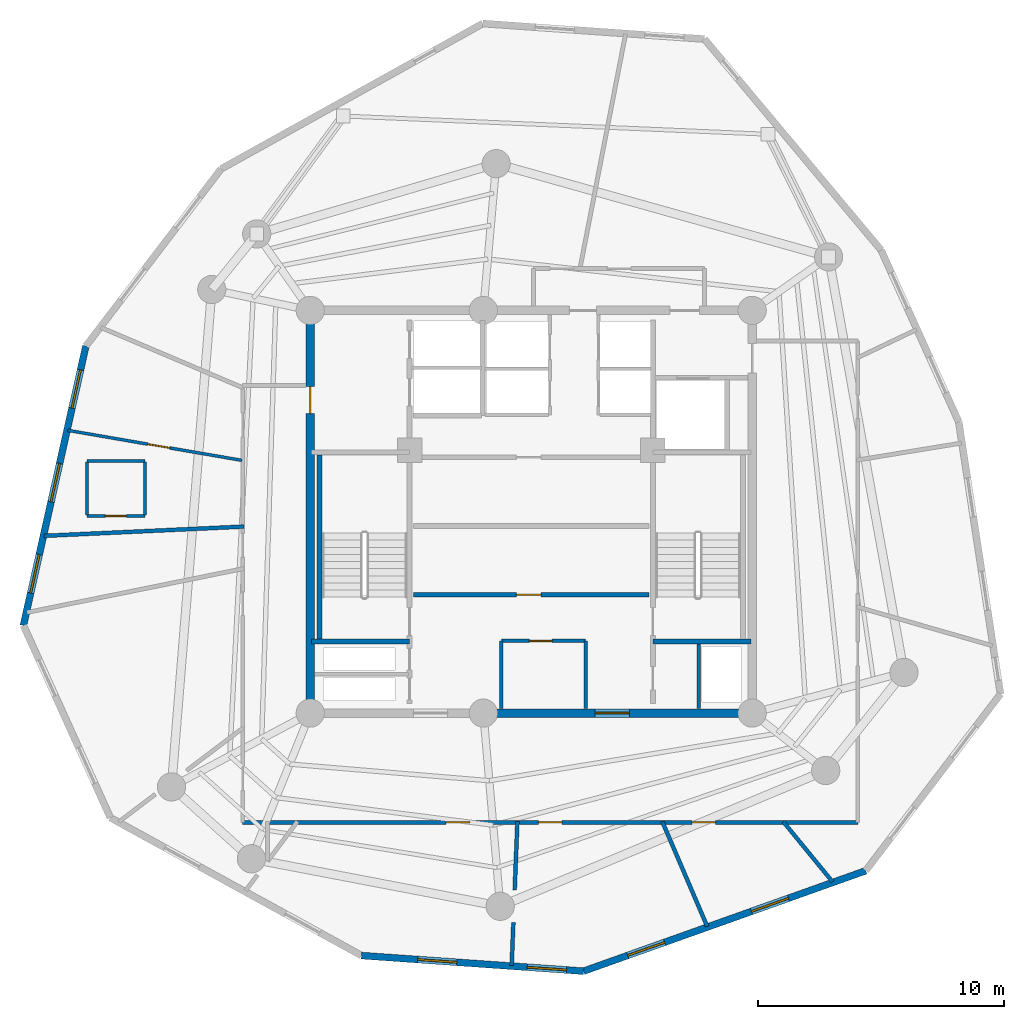
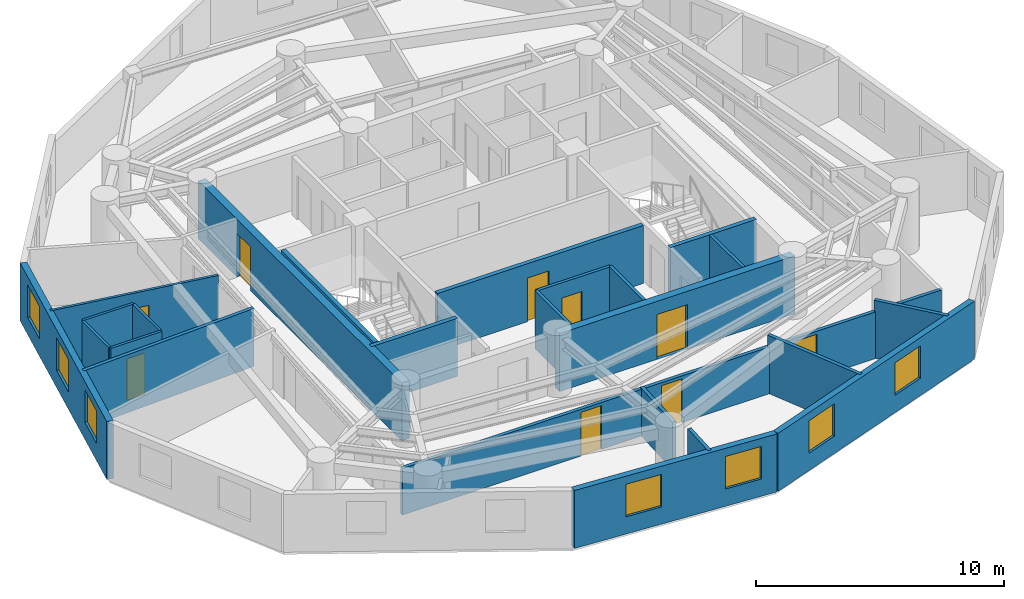
# One storey, part 3 of 7: 24 walls, 9 doors, 7 windows, 16 openings.
"""IFC4 building model written with IfcOpenShell, lengths in metres."""

from ifc_helpers import new_model, si_unit, direction, frame, frame_2d, origin, origin_with_axes, place, context, subcontext, project, spatial, rectangle, extrude, source, transform, mapped, material, layer, layer_set, type_object, element, fill, save


model = new_model("IFC4")

# Units and contexts
model_context = context("Model", 3, precision=1e-05, world=origin(), true_north=direction((0.0, 1.0)))
body_context = subcontext(model_context, "Body", "Model", "MODEL_VIEW")
ifc_project = project(units=[si_unit("LENGTHUNIT", "METRE"), si_unit("AREAUNIT", "SQUARE_METRE"), si_unit("VOLUMEUNIT", "CUBIC_METRE"), si_unit("PLANEANGLEUNIT", "RADIAN"), si_unit("MASSUNIT", "GRAM", prefix="KILO")], contexts=[model_context])

# Site, building, storey
site_placement = place(None, origin())
site = spatial("IfcSite", under=ifc_project, at=site_placement, CompositionType="ELEMENT")
building_placement = place(site_placement, origin())
building = spatial("IfcBuilding", under=site, at=building_placement, Name="Karkom Vertical University and Central Library", CompositionType="ELEMENT")
storey_placement = place(building_placement, frame((0.0, 0.0, 247.39990234375)))
storey = spatial("IfcBuildingStorey", under=building, at=storey_placement, Name="L73", CompositionType="ELEMENT", Elevation=247.39990234375)

# Wall, openings, windows
ifc_material_1 = material(Name="Brick-faced precast concrete C45/55", Category="masonry")
ifc_layer_1 = layer(ifc_material_1, 0.280029296875)
ifc_layer_set_1 = layer_set([ifc_layer_1], Name="Brick-faced precast concrete C45/55")
wall_type_1 = type_object("IfcWallType", Name="ENV-WL-BRK-280", PredefinedType="SOLIDWALL", material=ifc_layer_set_1)
wall_1_placement = place(storey_placement, frame((21.583251953125, 8.422607421875, 0.0), z_axis=(0.0, 0.0, 1.0), x_axis=(0.997548573597, -0.06997744862, 0.0)))
wall_1 = element("IfcWall", 1, at=wall_1_placement, inside=storey, type_object=wall_type_1, Name="Level 73 Brick-Faced Precast Facade Wall 03", PredefinedType="SOLIDWALL", context=body_context, shape_type="SweptSolid", body=[
    extrude(rectangle(XDim=9.074462890625, YDim=0.280029296875, at=frame_2d((4.537109375, 0.0))), origin(), (0.0, 0.0, 1.0), 2.85009765625),
])
opening_1_placement = place(wall_1_placement, frame((2.296630859375, 0.0, 0.85009765625)))
opening_1 = element("IfcOpeningElement", 2, at=opening_1_placement, cuts=wall_1, Name="Opening WN-10", PredefinedType="OPENING", context=body_context, shape_type="SweptSolid", body=[
    extrude(rectangle(XDim=1.60009765625, YDim=1.60009765625, at=frame_2d((0.800048828125, 0.800048828125))), frame((0.0, 0.14990234375, 0.0), z_axis=(0.0, -1.0, 0.0), x_axis=(1.0, 0.0, 0.0)), (0.0, 0.0, 1.0), 0.300048828125),
])
opening_2_placement = place(wall_1_placement, frame((6.77392578125, 0.0, 0.85009765625)))
opening_2 = element("IfcOpeningElement", 3, at=opening_2_placement, cuts=wall_1, Name="Opening WN-10", PredefinedType="OPENING", context=body_context, shape_type="SweptSolid", body=[
    extrude(rectangle(XDim=1.60009765625, YDim=1.60009765625, at=frame_2d((0.800048828125, 0.800048828125))), frame((0.0, 0.14990234375, 0.0), z_axis=(0.0, -1.0, 0.0), x_axis=(1.0, 0.0, 0.0)), (0.0, 0.0, 1.0), 0.300048828125),
])
ifc_material_2 = material(Name="Aluminium thermal-break frame with solar-control IGU", Category="aluminium")
window_type = type_object("IfcWindowType", Name="ENV-WIN-WN-10", PartitioningType="SINGLE_PANEL", PredefinedType="WINDOW", material=ifc_material_2)
shared_shape_1 = source(origin_with_axes(), body_context, "Body", "SweptSolid", [
    extrude(rectangle(XDim=1.60009765625, YDim=1.60009765625, at=frame_2d((0.800048828125, 0.800048828125))), frame((0.0, 0.030029296875, 0.0), z_axis=(0.0, -1.0, 0.0), x_axis=(1.0, 0.0, 0.0)), (0.0, 0.0, 1.0), 0.06005859375),
])
window_1_placement = place(opening_1_placement, origin())
window_1 = element("IfcWindow", 4, at=window_1_placement, inside=storey, type_object=window_type, Name="Level 73 Punched Window 3.1", OverallHeight=1.60009765625, OverallWidth=1.60009765625, PartitioningType="SINGLE_PANEL", PredefinedType="WINDOW", context=body_context, shape_type="MappedRepresentation", body=[
    mapped(shared_shape_1, transform((0.0, 0.0, 0.0), scale=1.0)),
])
fill(opening_1, window_1)
window_2_placement = place(opening_2_placement, origin())
window_2 = element("IfcWindow", 5, at=window_2_placement, inside=storey, type_object=window_type, Name="Level 73 Punched Window 3.2", OverallHeight=1.60009765625, OverallWidth=1.60009765625, PartitioningType="SINGLE_PANEL", PredefinedType="WINDOW", context=body_context, shape_type="MappedRepresentation", body=[
    mapped(shared_shape_1, transform((0.0, 0.0, 0.0), scale=1.0)),
])
fill(opening_2, window_2)

wall_2_placement = place(storey_placement, frame((30.635498046875, 7.78759765625, 0.0), z_axis=(0.0, 0.0, 1.0), x_axis=(0.94211002772, 0.335303885556, 0.0)))
wall_2 = element("IfcWall", 6, at=wall_2_placement, inside=storey, type_object=wall_type_1, Name="Level 73 Brick-Faced Precast Facade Wall 04", PredefinedType="SOLIDWALL", context=body_context, shape_type="SweptSolid", body=[
    extrude(rectangle(XDim=12.1953125, YDim=0.280029296875, at=frame_2d((6.09765625, 0.0))), origin(), (0.0, 0.0, 1.0), 2.85009765625),
])
opening_3_placement = place(wall_2_placement, frame((1.905517578125, 0.0, 0.85009765625)))
opening_3 = element("IfcOpeningElement", 7, at=opening_3_placement, cuts=wall_2, Name="Opening WN-10", PredefinedType="OPENING", context=body_context, shape_type="SweptSolid", body=[
    extrude(rectangle(XDim=1.60009765625, YDim=1.60009765625, at=frame_2d((0.800048828125, 0.800048828125))), frame((0.0, 0.14990234375, 0.0), z_axis=(0.0, -1.0, 0.0), x_axis=(1.0, 0.0, 0.0)), (0.0, 0.0, 1.0), 0.300048828125),
])
opening_4_placement = place(wall_2_placement, frame((7.25537109375, 0.0, 0.85009765625)))
opening_4 = element("IfcOpeningElement", 8, at=opening_4_placement, cuts=wall_2, Name="Opening WN-10", PredefinedType="OPENING", context=body_context, shape_type="SweptSolid", body=[
    extrude(rectangle(XDim=1.60009765625, YDim=1.60009765625, at=frame_2d((0.800048828125, 0.800048828125))), frame((0.0, 0.14990234375, 0.0), z_axis=(0.0, -1.0, 0.0), x_axis=(1.0, 0.0, 0.0)), (0.0, 0.0, 1.0), 0.300048828125),
])
window_3_placement = place(opening_3_placement, origin())
window_3 = element("IfcWindow", 9, at=window_3_placement, inside=storey, type_object=window_type, Name="Level 73 Punched Window 4.1", OverallHeight=1.60009765625, OverallWidth=1.60009765625, PartitioningType="SINGLE_PANEL", PredefinedType="WINDOW", context=body_context, shape_type="MappedRepresentation", body=[
    mapped(shared_shape_1, transform((0.0, 0.0, 0.0), scale=1.0)),
])
fill(opening_3, window_3)
window_4_placement = place(opening_4_placement, origin())
window_4 = element("IfcWindow", 10, at=window_4_placement, inside=storey, type_object=window_type, Name="Level 73 Punched Window 4.2", OverallHeight=1.60009765625, OverallWidth=1.60009765625, PartitioningType="SINGLE_PANEL", PredefinedType="WINDOW", context=body_context, shape_type="MappedRepresentation", body=[
    mapped(shared_shape_1, transform((0.0, 0.0, 0.0), scale=1.0)),
])
fill(opening_4, window_4)

wall_3_placement = place(storey_placement, frame((10.361083984375, 33.25390625, 0.0), z_axis=(0.0, 0.0, 1.0), x_axis=(-0.218210910553, -0.975901633627, 0.0)))
wall_3 = element("IfcWall", 11, at=wall_3_placement, inside=storey, type_object=wall_type_1, Name="Level 73 Brick-Faced Precast Facade Wall 12", PredefinedType="SOLIDWALL", context=body_context, shape_type="SweptSolid", body=[
    extrude(rectangle(XDim=11.667236328125, YDim=0.280029296875, at=frame_2d((5.83349609375, 0.0))), origin(), (0.0, 0.0, 1.0), 2.85009765625),
])
opening_5_placement = place(wall_3_placement, frame((0.997314453125, 0.0, 0.85009765625)))
opening_5 = element("IfcOpeningElement", 12, at=opening_5_placement, cuts=wall_3, Name="Opening WN-10", PredefinedType="OPENING", context=body_context, shape_type="SweptSolid", body=[
    extrude(rectangle(XDim=1.60009765625, YDim=1.60009765625, at=frame_2d((0.800048828125, 0.800048828125))), frame((0.0, 0.14990234375, 0.0), z_axis=(0.0, -1.0, 0.0), x_axis=(1.0, 0.0, 0.0)), (0.0, 0.0, 1.0), 0.300048828125),
])
opening_6_placement = place(wall_3_placement, frame((4.9033203125, 0.0, 0.85009765625)))
opening_6 = element("IfcOpeningElement", 13, at=opening_6_placement, cuts=wall_3, Name="Opening WN-10", PredefinedType="OPENING", context=body_context, shape_type="SweptSolid", body=[
    extrude(rectangle(XDim=1.60009765625, YDim=1.60009765625, at=frame_2d((0.800048828125, 0.800048828125))), frame((0.0, 0.14990234375, 0.0), z_axis=(0.0, -1.0, 0.0), x_axis=(1.0, 0.0, 0.0)), (0.0, 0.0, 1.0), 0.300048828125),
])
opening_7_placement = place(wall_3_placement, frame((8.707763671875, 0.0, 0.85009765625)))
opening_7 = element("IfcOpeningElement", 14, at=opening_7_placement, cuts=wall_3, Name="Opening WN-10", PredefinedType="OPENING", context=body_context, shape_type="SweptSolid", body=[
    extrude(rectangle(XDim=1.60009765625, YDim=1.60009765625, at=frame_2d((0.800048828125, 0.800048828125))), frame((0.0, 0.14990234375, 0.0), z_axis=(0.0, -1.0, 0.0), x_axis=(1.0, 0.0, 0.0)), (0.0, 0.0, 1.0), 0.300048828125),
])
window_5_placement = place(opening_5_placement, origin())
window_5 = element("IfcWindow", 15, at=window_5_placement, inside=storey, type_object=window_type, Name="Level 73 Punched Window 12.1", OverallHeight=1.60009765625, OverallWidth=1.60009765625, PartitioningType="SINGLE_PANEL", PredefinedType="WINDOW", context=body_context, shape_type="MappedRepresentation", body=[
    mapped(shared_shape_1, transform((0.0, 0.0, 0.0), scale=1.0)),
])
fill(opening_5, window_5)
window_6_placement = place(opening_6_placement, origin())
window_6 = element("IfcWindow", 16, at=window_6_placement, inside=storey, type_object=window_type, Name="Level 73 Punched Window 12.2", OverallHeight=1.60009765625, OverallWidth=1.60009765625, PartitioningType="SINGLE_PANEL", PredefinedType="WINDOW", context=body_context, shape_type="MappedRepresentation", body=[
    mapped(shared_shape_1, transform((0.0, 0.0, 0.0), scale=1.0)),
])
fill(opening_6, window_6)
window_7_placement = place(opening_7_placement, origin())
window_7 = element("IfcWindow", 17, at=window_7_placement, inside=storey, type_object=window_type, Name="Level 73 Punched Window 12.3", OverallHeight=1.60009765625, OverallWidth=1.60009765625, PartitioningType="SINGLE_PANEL", PredefinedType="WINDOW", context=body_context, shape_type="MappedRepresentation", body=[
    mapped(shared_shape_1, transform((0.0, 0.0, 0.0), scale=1.0)),
])
fill(opening_7, window_7)

# Wall, openings, doors
ifc_material_3 = material(Name="Insulated metal-stud drywall 160mm", Category="gypsum")
ifc_layer_2 = layer(ifc_material_3, 0.159912109375)
ifc_layer_set_2 = layer_set([ifc_layer_2], Name="Insulated metal-stud drywall 160mm")
wall_type_2 = type_object("IfcWallType", Name="INT-WL-COR-160", PredefinedType="PARTITIONING", material=ifc_layer_set_2)
wall_4_placement = place(storey_placement, frame((41.800048828125, 13.85009765625, 0.0), z_axis=(0.0, 0.0, 1.0), x_axis=(-1.0, 0.0, 0.0)))
wall_4 = element("IfcWall", 18, at=wall_4_placement, inside=storey, type_object=wall_type_2, Name="Level 73 Interior Partition Wall L73-CORW-CW-001", PredefinedType="PARTITIONING", context=body_context, shape_type="SweptSolid", body=[
    extrude(rectangle(XDim=25.050048828125, YDim=0.159912109375, at=frame_2d((12.52490234375, 0.0))), origin(), (0.0, 0.0, 1.0), 2.300048828125),
])
opening_8_placement = place(wall_4_placement, frame((15.8076171875, 0.0, 0.0)))
opening_8 = element("IfcOpeningElement", 19, at=opening_8_placement, cuts=wall_4, Name="Opening FD-RM2", PredefinedType="OPENING", context=body_context, shape_type="SweptSolid", body=[
    extrude(rectangle(XDim=0.9599609375, YDim=2.14990234375, at=frame_2d((0.47998046875, 1.074951171875))), frame((0.0, 0.08984375, 0.0), z_axis=(0.0, -1.0, 0.0), x_axis=(1.0, 0.0, 0.0)), (0.0, 0.0, 1.0), 0.179931640625),
])
opening_9_placement = place(wall_4_placement, frame((12.050048828125, 0.0, 0.0)))
opening_9 = element("IfcOpeningElement", 20, at=opening_9_placement, cuts=wall_4, Name="Opening FD-RM2", PredefinedType="OPENING", context=body_context, shape_type="SweptSolid", body=[
    extrude(rectangle(XDim=0.9599609375, YDim=2.14990234375, at=frame_2d((0.47998046875, 1.074951171875))), frame((0.0, 0.08984375, 0.0), z_axis=(0.0, -1.0, 0.0), x_axis=(1.0, 0.0, 0.0)), (0.0, 0.0, 1.0), 0.179931640625),
])
opening_10_placement = place(wall_4_placement, frame((5.78759765625, 0.0, 0.0)))
opening_10 = element("IfcOpeningElement", 21, at=opening_10_placement, cuts=wall_4, Name="Opening FD-RM2", PredefinedType="OPENING", context=body_context, shape_type="SweptSolid", body=[
    extrude(rectangle(XDim=0.9599609375, YDim=2.14990234375, at=frame_2d((0.47998046875, 1.074951171875))), frame((0.0, 0.08984375, 0.0), z_axis=(0.0, -1.0, 0.0), x_axis=(1.0, 0.0, 0.0)), (0.0, 0.0, 1.0), 0.179931640625),
])
ifc_material_4 = material(Name="Fire-rated oak veneer door", Category="wood")
door_type_1 = type_object("IfcDoorType", Name="INT-DR-FRM2", OperationType="NOTDEFINED", PredefinedType="DOOR", material=ifc_material_4)
shared_shape_2 = source(origin_with_axes(), body_context, "Body", "SweptSolid", [
    extrude(rectangle(XDim=0.9599609375, YDim=2.14990234375, at=frame_2d((0.47998046875, 1.074951171875))), frame((0.0, 0.02490234375, 0.0), z_axis=(0.0, -1.0, 0.0), x_axis=(1.0, 0.0, 0.0)), (0.0, 0.0, 1.0), 0.050048828125),
])
door_1_placement = place(opening_8_placement, origin())
door_1 = element("IfcDoor", 22, at=door_1_placement, inside=storey, type_object=door_type_1, Name="Level 73 Room Entry Door 303", OperationType="SINGLE_SWING_LEFT", OverallHeight=2.14990234375, OverallWidth=0.9599609375, PredefinedType="DOOR", context=body_context, shape_type="MappedRepresentation", body=[
    mapped(shared_shape_2, transform((0.0, 0.0, 0.0), scale=1.0)),
])
fill(opening_8, door_1)
door_2_placement = place(opening_9_placement, origin())
door_2 = element("IfcDoor", 23, at=door_2_placement, inside=storey, type_object=door_type_1, Name="Level 73 Room Entry Door 304", OperationType="SINGLE_SWING_RIGHT", OverallHeight=2.14990234375, OverallWidth=0.9599609375, PredefinedType="DOOR", context=body_context, shape_type="MappedRepresentation", body=[
    mapped(shared_shape_2, transform((0.0, 0.0, 0.0), scale=1.0)),
])
fill(opening_9, door_2)
door_3_placement = place(opening_10_placement, origin())
door_3 = element("IfcDoor", 24, at=door_3_placement, inside=storey, type_object=door_type_1, Name="Level 73 Room Entry Door 305", OperationType="SINGLE_SWING_LEFT", OverallHeight=2.14990234375, OverallWidth=0.9599609375, PredefinedType="DOOR", context=body_context, shape_type="MappedRepresentation", body=[
    mapped(shared_shape_2, transform((0.0, 0.0, 0.0), scale=1.0)),
])
fill(opening_10, door_3)

# Walls
wall_5_placement = place(storey_placement, frame((8.6591796875, 25.517578125, 0.0), z_axis=(0.0, 0.0, 1.0), x_axis=(0.998921476813, 0.0464314889, 0.0)))
element("IfcWall", 25, at=wall_5_placement, inside=storey, type_object=wall_type_2, Name="Level 73 Interior Partition Wall L73-PW-002", PredefinedType="PARTITIONING", context=body_context, shape_type="SweptSolid", body=[
    extrude(rectangle(XDim=8.144775390625, YDim=0.159912109375, at=frame_2d((4.072265625, 0.0))), origin(), (0.0, 0.0, 1.0), 2.85009765625),
])
wall_6_placement = place(storey_placement, frame((33.8408203125, 13.877685546875, 0.0), z_axis=(0.0, 0.0, 1.0), x_axis=(0.393729061861, -0.919226536739, 0.0)))
element("IfcWall", 26, at=wall_6_placement, inside=storey, type_object=wall_type_2, Name="Level 73 Interior Partition Wall L73-PW-010", PredefinedType="PARTITIONING", context=body_context, shape_type="SweptSolid", body=[
    extrude(rectangle(XDim=4.646728515625, YDim=0.159912109375, at=frame_2d((2.3232421875, 0.0))), origin(), (0.0, 0.0, 1.0), 2.85009765625),
])
wall_7_placement = place(storey_placement, frame((38.76904296875, 13.873291015625, 0.0), z_axis=(0.0, 0.0, 1.0), x_axis=(0.633754626341, -0.773534145072, 0.0)))
element("IfcWall", 27, at=wall_7_placement, inside=storey, type_object=wall_type_2, Name="Level 73 Interior Partition Wall L73-PW-011", PredefinedType="PARTITIONING", context=body_context, shape_type="SweptSolid", body=[
    extrude(rectangle(XDim=3.1630859375, YDim=0.159912109375, at=frame_2d((1.58154296875, 0.0))), origin(), (0.0, 0.0, 1.0), 2.85009765625),
])
wall_8_placement = place(storey_placement, frame((27.9375, 13.8798828125, 0.0), z_axis=(0.0, 0.0, 1.0), x_axis=(-0.039699142553, -0.999211678315, 0.0)))
element("IfcWall", 28, at=wall_8_placement, inside=storey, type_object=wall_type_2, Name="Level 73 Interior Partition Wall L73-PW-008", PredefinedType="PARTITIONING", context=body_context, shape_type="SweptSolid", body=[
    extrude(rectangle(XDim=2.7919921875, YDim=0.159912109375, at=frame_2d((1.39599609375, 0.0))), origin(), (0.0, 0.0, 1.0), 2.35009765625),
])
wall_9_placement = place(storey_placement, frame((27.77392578125, 9.77001953125, 0.0), z_axis=(0.0, 0.0, 1.0), x_axis=(-0.039689955726, -0.999212043269, 0.0)))
element("IfcWall", 29, at=wall_9_placement, inside=storey, type_object=wall_type_2, Name="Level 73 Interior Partition Wall L73-PW-009", PredefinedType="PARTITIONING", context=body_context, shape_type="SweptSolid", body=[
    extrude(rectangle(XDim=1.753173828125, YDim=0.159912109375, at=frame_2d((0.87646484375, 0.0))), origin(), (0.0, 0.0, 1.0), 2.85009765625),
])

# Wall, opening, door
ifc_material_5 = material(Name="Moisture-resistant drywall 120mm", Category="gypsum")
ifc_layer_3 = layer(ifc_material_5, 0.1201171875)
ifc_layer_set_3 = layer_set([ifc_layer_3], Name="Moisture-resistant drywall 120mm")
wall_type_3 = type_object("IfcWallType", Name="INT-WL-INT-120", PredefinedType="PARTITIONING", material=ifc_layer_set_3)
wall_10_placement = place(storey_placement, frame((16.71435546875, 28.59326171875, 0.0), z_axis=(0.0, 0.0, 1.0), x_axis=(-0.985456592012, 0.169927352892, 0.0)))
wall_10 = element("IfcWall", 30, at=wall_10_placement, inside=storey, type_object=wall_type_3, Name="Level 73 Interior Partition Wall L73-APT-12-DIV", PredefinedType="PARTITIONING", context=body_context, shape_type="SweptSolid", body=[
    extrude(rectangle(XDim=7.200927734375, YDim=0.1201171875, at=frame_2d((3.6005859375, 0.0))), origin(), (0.0, 0.0, 1.0), 2.85009765625),
])
opening_11_placement = place(wall_10_placement, frame((2.9853515625, 0.0, 0.0)))
opening_11 = element("IfcOpeningElement", 31, at=opening_11_placement, cuts=wall_10, Name="Opening D-INT1", PredefinedType="OPENING", context=body_context, shape_type="SweptSolid", body=[
    extrude(rectangle(XDim=0.89990234375, YDim=2.10009765625, at=frame_2d((0.449951171875, 1.050048828125))), frame((0.0, 0.070068359375, 0.0), z_axis=(0.0, -1.0, 0.0), x_axis=(1.0, 0.0, 0.0)), (0.0, 0.0, 1.0), 0.14013671875),
])
ifc_material_6 = material(Name="Painted solid-core timber door", Category="wood")
door_type_2 = type_object("IfcDoorType", Name="INT-DR-INT1", OperationType="NOTDEFINED", PredefinedType="DOOR", material=ifc_material_6)
shared_shape_3 = source(origin_with_axes(), body_context, "Body", "SweptSolid", [
    extrude(rectangle(XDim=0.89990234375, YDim=2.10009765625, at=frame_2d((0.449951171875, 1.050048828125))), frame((0.0, 0.02490234375, 0.0), z_axis=(0.0, -1.0, 0.0), x_axis=(1.0, 0.0, 0.0)), (0.0, 0.0, 1.0), 0.050048828125),
])
door_4_placement = place(opening_11_placement, origin())
door_4 = element("IfcDoor", 32, at=door_4_placement, inside=storey, type_object=door_type_2, Name="Level 73 Flat L73-12 Internal Door", OperationType="SINGLE_SWING_RIGHT", OverallHeight=2.10009765625, OverallWidth=0.89990234375, PredefinedType="DOOR", context=body_context, shape_type="MappedRepresentation", body=[
    mapped(shared_shape_3, transform((0.0, 0.0, 0.0), scale=1.0)),
])
fill(opening_11, door_4)

ifc_layer_4 = layer(ifc_material_5, 0.1201171875)
ifc_layer_set_4 = layer_set([ifc_layer_4], Name="Moisture-resistant drywall 120mm")
wall_type_4 = type_object("IfcWallType", Name="INT-WL-INT-120F", PredefinedType="PARTITIONING", material=ifc_layer_set_4)
wall_11_placement = place(storey_placement, frame((10.402099609375, 26.327880859375, 0.0), z_axis=(0.0, 0.0, 1.0), x_axis=(1.0, 0.0, 0.0)))
wall_11 = element("IfcWall", 33, at=wall_11_placement, inside=storey, type_object=wall_type_4, Name="Level 73 Interior Partition Wall L73-ENS-51-S", PredefinedType="PARTITIONING", context=body_context, shape_type="SweptSolid", body=[
    extrude(rectangle(XDim=2.35986328125, YDim=0.1201171875, at=frame_2d((1.179931640625, 0.0))), origin(), (0.0, 0.0, 1.0), 2.85009765625),
])
opening_12_placement = place(wall_11_placement, frame((0.75, 0.0, 0.0)))
opening_12 = element("IfcOpeningElement", 34, at=opening_12_placement, cuts=wall_11, Name="Opening D-BTH2", PredefinedType="OPENING", context=body_context, shape_type="SweptSolid", body=[
    extrude(rectangle(XDim=0.860107421875, YDim=2.0400390625, at=frame_2d((0.43017578125, 1.02001953125))), frame((0.0, 0.070068359375, 0.0), z_axis=(0.0, -1.0, 0.0), x_axis=(1.0, 0.0, 0.0)), (0.0, 0.0, 1.0), 0.14013671875),
])
ifc_material_7 = material(Name="Moisture-resistant oak door", Category="wood")
door_type_3 = type_object("IfcDoorType", Name="INT-DR-DBTH2", OperationType="NOTDEFINED", PredefinedType="DOOR", material=ifc_material_7)
shared_shape_4 = source(origin_with_axes(), body_context, "Body", "SweptSolid", [
    extrude(rectangle(XDim=0.860107421875, YDim=2.0400390625, at=frame_2d((0.43017578125, 1.02001953125))), frame((0.0, 0.02490234375, 0.0), z_axis=(0.0, -1.0, 0.0), x_axis=(1.0, 0.0, 0.0)), (0.0, 0.0, 1.0), 0.050048828125),
])
door_5_placement = place(opening_12_placement, origin())
door_5 = element("IfcDoor", 35, at=door_5_placement, inside=storey, type_object=door_type_3, Name="Level 73 En-Suite Bathroom Door 51", OperationType="SINGLE_SWING_LEFT", OverallHeight=2.0400390625, OverallWidth=0.860107421875, PredefinedType="DOOR", context=body_context, shape_type="MappedRepresentation", body=[
    mapped(shared_shape_4, transform((0.0, 0.0, 0.0), scale=1.0)),
])
fill(opening_12, door_5)

# Walls
wall_12_placement = place(storey_placement, frame((12.761962890625, 28.568115234375, 0.0), z_axis=(0.0, 0.0, 1.0), x_axis=(-1.0, 0.0, 0.0)))
element("IfcWall", 36, at=wall_12_placement, inside=storey, type_object=wall_type_4, Name="Level 73 Interior Partition Wall L73-ENS-51-N", PredefinedType="PARTITIONING", context=body_context, shape_type="SweptSolid", body=[
    extrude(rectangle(XDim=2.35986328125, YDim=0.1201171875, at=frame_2d((1.179931640625, 0.0))), origin(), (0.0, 0.0, 1.0), 2.85009765625),
])
for number, where, z_axis, x_axis, name in (
    (37, (12.761962890625, 26.3779296875, 0.0), (0.0, 0.0, 1.0), (0.0, 1.0, 0.0), "Level 73 Interior Partition Wall L73-ENS-51-E"),
    (38, (10.402099609375, 28.51806640625, 0.0), (0.0, 0.0, 1.0), (0.0, -1.0, 0.0), "Level 73 Interior Partition Wall L73-ENS-51-W"),
):
    element("IfcWall", number, at=place(storey_placement, frame(where, z_axis=z_axis, x_axis=x_axis)), inside=storey, type_object=wall_type_4, Name=name, PredefinedType="PARTITIONING", context=body_context, shape_type="SweptSolid", body=[
        extrude(rectangle(XDim=2.14013671875, YDim=0.1201171875, at=frame_2d((1.070068359375, 0.0))), origin(), (0.0, 0.0, 1.0), 2.85009765625),
    ])

# Wall, opening, door
ifc_material_8 = material(Name="Metal-stud gypsum partition 140mm", Category="gypsum")
ifc_layer_5 = layer(ifc_material_8, 0.139892578125)
ifc_layer_set_5 = layer_set([ifc_layer_5], Name="Metal-stud gypsum partition 140mm")
wall_type_5 = type_object("IfcWallType", Name="INT-WL-SUB-140", PredefinedType="PARTITIONING", material=ifc_layer_set_5)
wall_13_placement = place(storey_placement, frame((27.280029296875, 21.239990234375, 0.0), z_axis=(0.0, 0.0, 1.0), x_axis=(1.0, 0.0, 0.0)))
wall_13 = element("IfcWall", 39, at=wall_13_placement, inside=storey, type_object=wall_type_5, Name="Level 73 Interior Partition Wall L73-CW-KBAY-N", PredefinedType="PARTITIONING", context=body_context, shape_type="SweptSolid", body=[
    extrude(rectangle(XDim=3.43994140625, YDim=0.139892578125, at=frame_2d((1.719970703125, 0.0))), origin(), (0.0, 0.0, 1.0), 2.85009765625),
])
opening_13_placement = place(wall_13_placement, frame((1.14990234375, 0.0, 0.0)))
opening_13 = element("IfcOpeningElement", 40, at=opening_13_placement, cuts=wall_13, Name="Opening D-SVC1", PredefinedType="OPENING", context=body_context, shape_type="SweptSolid", body=[
    extrude(rectangle(XDim=0.919921875, YDim=2.10009765625, at=frame_2d((0.4599609375, 1.050048828125))), frame((0.0, 0.080078125, 0.0), z_axis=(0.0, -1.0, 0.0), x_axis=(1.0, 0.0, 0.0)), (0.0, 0.0, 1.0), 0.159912109375),
])
ifc_material_9 = material(Name="Painted timber service door", Category="wood")
door_type_4 = type_object("IfcDoorType", Name="INT-DR-SVC1", OperationType="NOTDEFINED", PredefinedType="DOOR", material=ifc_material_9)
shared_shape_5 = source(origin_with_axes(), body_context, "Body", "SweptSolid", [
    extrude(rectangle(XDim=0.919921875, YDim=2.10009765625, at=frame_2d((0.4599609375, 1.050048828125))), frame((0.0, 0.02490234375, 0.0), z_axis=(0.0, -1.0, 0.0), x_axis=(1.0, 0.0, 0.0)), (0.0, 0.0, 1.0), 0.050048828125),
])
door_6_placement = place(opening_13_placement, origin())
door_6 = element("IfcDoor", 41, at=door_6_placement, inside=storey, type_object=door_type_4, Name="Level 73 Comms Room Door", OperationType="SINGLE_SWING_LEFT", OverallHeight=2.10009765625, OverallWidth=0.919921875, PredefinedType="DOOR", context=body_context, shape_type="MappedRepresentation", body=[
    mapped(shared_shape_5, transform((0.0, 0.0, 0.0), scale=1.0)),
])
fill(opening_13, door_6)

# Walls
for number, where, z_axis, x_axis, name in (
    (42, (27.280029296875, 18.48193359375, 0.0), (0.0, 0.0, 1.0), (0.0, 1.0, 0.0), "Level 73 Interior Partition Wall L73-CW-KBAY-W"),
    (43, (30.719970703125, 18.48193359375, 0.0), (0.0, 0.0, 1.0), (0.0, 1.0, 0.0), "Level 73 Interior Partition Wall L73-CW-KBAY-E"),
):
    element("IfcWall", number, at=place(storey_placement, frame(where, z_axis=z_axis, x_axis=x_axis)), inside=storey, type_object=wall_type_5, Name=name, PredefinedType="PARTITIONING", context=body_context, shape_type="SweptSolid", body=[
        extrude(rectangle(XDim=2.758056640625, YDim=0.139892578125, at=frame_2d((1.37890625, 0.0))), origin(), (0.0, 0.0, 1.0), 2.85009765625),
    ])
ifc_layer_6 = layer(ifc_material_8, 0.139892578125)
ifc_layer_set_6 = layer_set([ifc_layer_6], Name="Metal-stud gypsum partition 140mm")
wall_type_6 = type_object("IfcWallType", Name="INT-WL-SUB-140H", PredefinedType="PARTITIONING", material=ifc_layer_set_6)
wall_14_placement = place(storey_placement, frame((35.320068359375, 18.48193359375, 0.0), z_axis=(0.0, 0.0, 1.0), x_axis=(0.0, 1.0, 0.0)))
element("IfcWall", 44, at=wall_14_placement, inside=storey, type_object=wall_type_6, Name="Level 73 Interior Partition Wall L73-CW-RIS-E", PredefinedType="PARTITIONING", context=body_context, shape_type="SweptSolid", body=[
    extrude(rectangle(XDim=2.629150390625, YDim=0.139892578125, at=frame_2d((1.314453125, 0.0))), origin(), (0.0, 0.0, 1.0), 2.85009765625),
])

# Wall, opening, door
ifc_material_10 = material(Name="Concrete C45/55", Category="concrete")
ifc_layer_7 = layer(ifc_material_10, 0.35009765625)
ifc_layer_set_7 = layer_set([ifc_layer_7], Name="Concrete C45/55")
wall_type_7 = type_object("IfcWallType", Name="STR-WL-CW-350", PredefinedType="SHEAR", material=ifc_layer_set_7)
wall_15_placement = place(storey_placement, frame((26.550048828125, 18.300048828125, 0.0), z_axis=(0.0, 0.0, 1.0), x_axis=(1.0, 0.0, 0.0)))
wall_15 = element("IfcWall", 45, at=wall_15_placement, inside=storey, type_object=wall_type_7, Name="Level 73 Central Core Shear Wall SW2", PredefinedType="SHEAR", context=body_context, shape_type="SweptSolid", body=[
    extrude(rectangle(XDim=10.949951171875, YDim=0.35009765625, at=frame_2d((5.47509765625, 0.0))), origin(), (0.0, 0.0, 1.0), 2.85009765625),
])
opening_14_placement = place(wall_15_placement, frame((4.550048828125, 0.0, 0.0)))
opening_14 = element("IfcOpeningElement", 46, at=opening_14_placement, cuts=wall_15, Name="Opening FD-CLB", PredefinedType="OPENING", context=body_context, shape_type="SweptSolid", body=[
    extrude(rectangle(XDim=1.39990234375, YDim=2.199951171875, at=frame_2d((0.699951171875, 1.10009765625))), frame((0.0, 0.18505859375, 0.0), z_axis=(0.0, -1.0, 0.0), x_axis=(1.0, 0.0, 0.0)), (0.0, 0.0, 1.0), 0.3701171875),
])
ifc_material_11 = material(Name="Painted steel fire door", Category="steel")
door_type_5 = type_object("IfcDoorType", Name="INT-DR-CLB", OperationType="DOUBLE_DOOR_SINGLE_SWING", PredefinedType="DOOR", material=ifc_material_11)
shared_shape_6 = source(origin_with_axes(), body_context, "Body", "SweptSolid", [
    extrude(rectangle(XDim=1.39990234375, YDim=2.199951171875, at=frame_2d((0.699951171875, 1.10009765625))), frame((0.0, 0.02490234375, 0.0), z_axis=(0.0, -1.0, 0.0), x_axis=(1.0, 0.0, 0.0)), (0.0, 0.0, 1.0), 0.050048828125),
])
door_7_placement = place(opening_14_placement, origin())
door_7 = element("IfcDoor", 47, at=door_7_placement, inside=storey, type_object=door_type_5, Name="Level 73 South Core Lobby East Exit Door", OperationType="DOUBLE_DOOR_SINGLE_SWING", OverallHeight=2.199951171875, OverallWidth=1.39990234375, PredefinedType="DOOR", context=body_context, shape_type="MappedRepresentation", body=[
    mapped(shared_shape_6, transform((0.0, 0.0, 0.0), scale=1.0)),
])
fill(opening_14, door_7)

wall_16_placement = place(storey_placement, frame((19.5, 34.699951171875, 0.0), z_axis=(0.0, 0.0, 1.0), x_axis=(0.0, -1.0, 0.0)))
wall_16 = element("IfcWall", 48, at=wall_16_placement, inside=storey, type_object=wall_type_7, Name="Level 73 Central Core Shear Wall WW", PredefinedType="SHEAR", context=body_context, shape_type="SweptSolid", body=[
    extrude(rectangle(XDim=16.39990234375, YDim=0.35009765625, at=frame_2d((8.199951171875, 0.0))), origin(), (0.0, 0.0, 1.0), 2.85009765625),
])
opening_15_placement = place(wall_16_placement, frame((3.10009765625, 0.0, 0.0)))
opening_15 = element("IfcOpeningElement", 49, at=opening_15_placement, cuts=wall_16, Name="Opening FD-FFL", PredefinedType="OPENING", context=body_context, shape_type="SweptSolid", body=[
    extrude(rectangle(XDim=1.10009765625, YDim=2.14990234375, at=frame_2d((0.550048828125, 1.074951171875))), frame((0.0, 0.18505859375, 0.0), z_axis=(0.0, -1.0, 0.0), x_axis=(1.0, 0.0, 0.0)), (0.0, 0.0, 1.0), 0.3701171875),
])
ifc_material_12 = material(Name="Painted steel smoke-seal fire door", Category="steel")
door_type_6 = type_object("IfcDoorType", Name="INT-DR-FFL", OperationType="NOTDEFINED", PredefinedType="DOOR", material=ifc_material_12)
shared_shape_7 = source(origin_with_axes(), body_context, "Body", "SweptSolid", [
    extrude(rectangle(XDim=1.10009765625, YDim=2.14990234375, at=frame_2d((0.550048828125, 1.074951171875))), frame((0.0, 0.02490234375, 0.0), z_axis=(0.0, -1.0, 0.0), x_axis=(1.0, 0.0, 0.0)), (0.0, 0.0, 1.0), 0.050048828125),
])
door_8_placement = place(opening_15_placement, origin())
door_8 = element("IfcDoor", 50, at=door_8_placement, inside=storey, type_object=door_type_6, Name="Level 73 West Corridor Firefighting Lobby Door", OperationType="SINGLE_SWING_LEFT", OverallHeight=2.14990234375, OverallWidth=1.10009765625, PredefinedType="DOOR", context=body_context, shape_type="MappedRepresentation", body=[
    mapped(shared_shape_7, transform((0.0, 0.0, 0.0), scale=1.0)),
])
fill(opening_15, door_8)

ifc_layer_8 = layer(ifc_material_10, 0.199951171875)
ifc_layer_set_8 = layer_set([ifc_layer_8], Name="Concrete C45/55")
wall_type_8 = type_object("IfcWallType", Name="STR-WL-ST-200", PredefinedType="SHEAR", material=ifc_layer_set_8)
wall_17_placement = place(storey_placement, frame((23.699951171875, 23.1201171875, 0.0), z_axis=(0.0, 0.0, 1.0), x_axis=(1.0, 0.0, 0.0)))
wall_17 = element("IfcWall", 51, at=wall_17_placement, inside=storey, type_object=wall_type_8, Name="Level 73 Core Shaft Wall L73-CW-B1-S", PredefinedType="SHEAR", context=body_context, shape_type="SweptSolid", body=[
    extrude(rectangle(XDim=9.60009765625, YDim=0.199951171875, at=frame_2d((4.800048828125, 0.0))), origin(), (0.0, 0.0, 1.0), 2.85009765625),
])
opening_16_placement = place(wall_17_placement, frame((4.199951171875, 0.0, 0.0)))
opening_16 = element("IfcOpeningElement", 52, at=opening_16_placement, cuts=wall_17, Name="Opening D-STR1", PredefinedType="OPENING", context=body_context, shape_type="SweptSolid", body=[
    extrude(rectangle(XDim=1.0, YDim=2.14990234375, at=frame_2d((0.5, 1.074951171875))), frame((0.0, 0.10986328125, 0.0), z_axis=(0.0, -1.0, 0.0), x_axis=(1.0, 0.0, 0.0)), (0.0, 0.0, 1.0), 0.219970703125),
])
ifc_material_13 = material(Name="Solid-core hardwood fire door", Category="wood")
door_type_7 = type_object("IfcDoorType", Name="INT-DR-STR1", OperationType="NOTDEFINED", PredefinedType="DOOR", material=ifc_material_13)
shared_shape_8 = source(origin_with_axes(), body_context, "Body", "SweptSolid", [
    extrude(rectangle(XDim=1.0, YDim=2.14990234375, at=frame_2d((0.5, 1.074951171875))), frame((0.0, 0.02490234375, 0.0), z_axis=(0.0, -1.0, 0.0), x_axis=(1.0, 0.0, 0.0)), (0.0, 0.0, 1.0), 0.050048828125),
])
door_9_placement = place(opening_16_placement, origin())
door_9 = element("IfcDoor", 53, at=door_9_placement, inside=storey, type_object=door_type_7, Name="Level 73 Campus Digital Archive Store Door", OperationType="SINGLE_SWING_RIGHT", OverallHeight=2.14990234375, OverallWidth=1.0, PredefinedType="DOOR", context=body_context, shape_type="MappedRepresentation", body=[
    mapped(shared_shape_8, transform((0.0, 0.0, 0.0), scale=1.0)),
])
fill(opening_16, door_9)

# Walls
wall_18_placement = place(storey_placement, frame((19.875, 21.320068359375, 0.0), z_axis=(0.0, 0.0, 1.0), x_axis=(0.0, 1.0, 0.0)))
element("IfcWall", 54, at=wall_18_placement, inside=storey, type_object=wall_type_8, Name="Level 73 Core Shaft Wall L73-CW-ST1-W", PredefinedType="SHEAR", context=body_context, shape_type="SweptSolid", body=[
    extrude(rectangle(XDim=7.5, YDim=0.199951171875, at=frame_2d((3.75, 0.0))), origin(), (0.0, 0.0, 1.0), 2.85009765625),
])
for number, where, z_axis, x_axis, name in (
    (55, (33.455078125, 21.215087890625, 0.0), (0.0, 0.0, 1.0), (1.0, 0.0, 0.0), "Level 73 Core Shaft Wall L73-CW-ST2-S"),
    (56, (19.550048828125, 21.215087890625, 0.0), (0.0, 0.0, 1.0), (1.0, 0.0, 0.0), "Level 73 Core Shaft Wall L73-CW-ST1-S"),
):
    element("IfcWall", number, at=place(storey_placement, frame(where, z_axis=z_axis, x_axis=x_axis)), inside=storey, type_object=wall_type_8, Name=name, PredefinedType="SHEAR", context=body_context, shape_type="SweptSolid", body=[
        extrude(rectangle(XDim=3.994873046875, YDim=0.199951171875, at=frame_2d((1.99755859375, 0.0))), origin(), (0.0, 0.0, 1.0), 2.85009765625),
    ])

save(model, "model.ifc")
